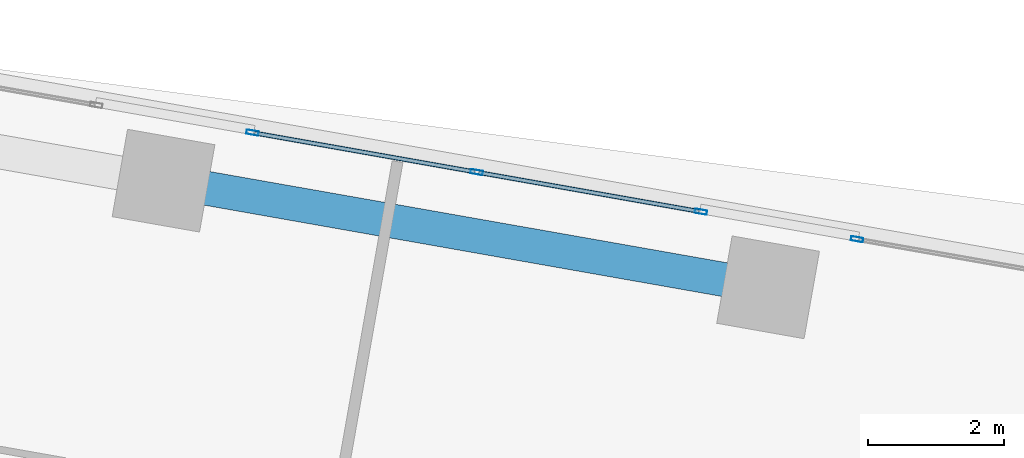
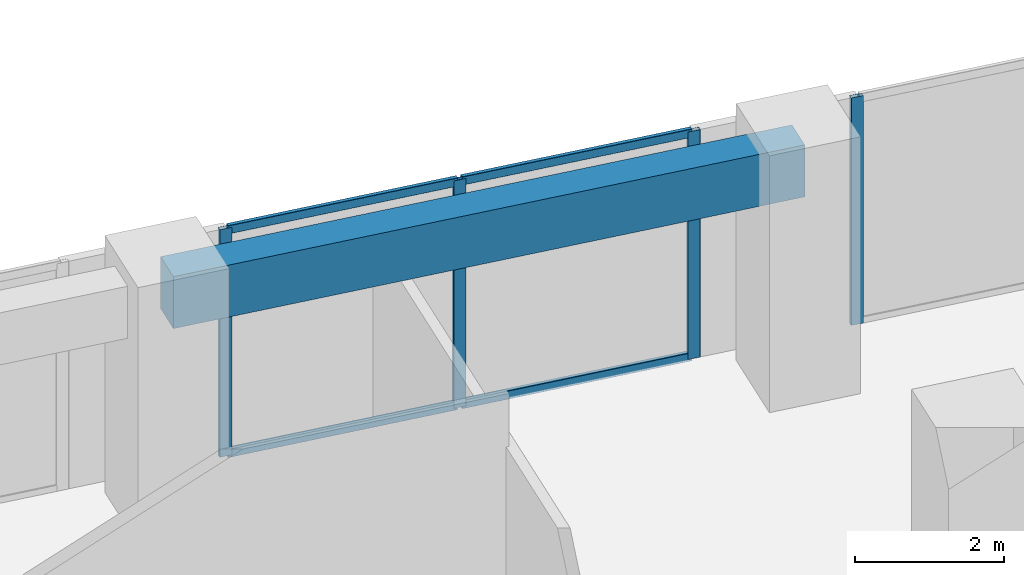
# One storey, part 17 of 24: 8 members, 1 beam, 2 elements without a shape of their own.
"""IFC4 building model written with IfcOpenShell, lengths in metres."""

import ifcopenshell
import ifcopenshell.guid

model = None  # the IFC model being written
_history = None  # IfcOwnerHistory: only IFC2X3 demands one
_inside = {}  # id of a spatial element -> (the spatial element, [elements in it])
_under = {}  # id of a project, library or spatial element -> (it, [spatial elements below it])
_declared = {}  # id of a project -> (the project, [libraries it declares])
_typed = {}  # id of a type object -> (the type object, [elements of that type])
_made_of = {}  # id of a material, layer set ... -> (it, [elements and type objects made of it])


def new_model(schema):
    """Start an empty IFC model of exactly this schema.

    Asked for "IFC4X3", IfcOpenShell would pick the latest addendum, in which some entities
    have other attributes; the version numbers below select the first issue.
    IFC2X3 requires an IfcOwnerHistory on every rooted entity: one is made here for all.
    """
    global model, _history
    if schema == "IFC4X3":
        model = ifcopenshell.file(schema_version=(4, 3, 0, 0))
    else:
        model = ifcopenshell.file(schema=schema)
    _inside.clear()
    _under.clear()
    _declared.clear()
    _typed.clear()
    _made_of.clear()
    _history = None
    if model.schema == "IFC2X3":
        org = make("IfcOrganization", Name="unknown")
        user = make(
            "IfcPersonAndOrganization",
            ThePerson=make("IfcPerson", FamilyName="unknown"),
            TheOrganization=org,
        )
        app = make(
            "IfcApplication",
            ApplicationDeveloper=org,
            Version="unknown",
            ApplicationFullName="unknown",
            ApplicationIdentifier="unknown",
        )
        _history = make(
            "IfcOwnerHistory",
            OwningUser=user,
            OwningApplication=app,
            ChangeAction="ADDED",
            CreationDate=0,
        )
    return model


def make(cls, **values):
    """One entity of the class cls with the attributes given. An attribute that is None is left unset."""
    return model.create_entity(
        cls, **{name: value for name, value in values.items() if value is not None}
    )


def rooted(cls, **values):
    """An entity with a GlobalId (a new one), such as an element, a storey or a relation."""
    return make(cls, GlobalId=ifcopenshell.guid.new(), OwnerHistory=_history, **values)


def si_unit(unit_type, name, prefix=None):
    """IfcSIUnit, for example si_unit("LENGTHUNIT", "METRE", prefix="MILLI")."""
    return make("IfcSIUnit", UnitType=unit_type, Prefix=prefix, Name=name)


def assignment(units):
    """IfcUnitAssignment: the units of a project."""
    return None if units is None else make("IfcUnitAssignment", Units=units)


def point(xyz):
    """IfcCartesianPoint."""
    return None if xyz is None else make("IfcCartesianPoint", Coordinates=xyz)


def direction(xyz):
    """IfcDirection."""
    return None if xyz is None else make("IfcDirection", DirectionRatios=xyz)


def frame(location, z_axis=None, x_axis=None):
    """IfcAxis2Placement3D, a coordinate frame: its origin and axes. An axis left out is left unset."""
    return make(
        "IfcAxis2Placement3D",
        Location=point(location),
        Axis=direction(z_axis),
        RefDirection=direction(x_axis),
    )


def frame_2d(location, x_axis=None):
    """IfcAxis2Placement2D, a coordinate frame in the plane: its origin and x axis."""
    return make(
        "IfcAxis2Placement2D", Location=point(location), RefDirection=direction(x_axis)
    )


def origin():
    """The frame at (0, 0, 0) with its axes left unset."""
    return frame((0.0, 0.0, 0.0))


def origin_2d():
    """The frame at (0, 0) in the plane with its x axis left unset."""
    return frame_2d((0.0, 0.0))


def place(relative_to, where):
    """IfcLocalPlacement: puts the frame where relative to a parent placement (None: the world)."""
    return make(
        "IfcLocalPlacement", PlacementRelTo=relative_to, RelativePlacement=where
    )


def context(
    kind, dimensions, precision=None, world=None, true_north=None, identifier=None
):
    """IfcGeometricRepresentationContext, for example the 3D "Model" context."""
    return make(
        "IfcGeometricRepresentationContext",
        ContextIdentifier=identifier,
        ContextType=kind,
        CoordinateSpaceDimension=dimensions,
        Precision=precision,
        WorldCoordinateSystem=world,
        TrueNorth=true_north,
    )


def subcontext(parent, identifier, kind, view, scale=None):
    """IfcGeometricRepresentationSubContext, for example "Body" below "Model"."""
    return make(
        "IfcGeometricRepresentationSubContext",
        ContextIdentifier=identifier,
        ContextType=kind,
        ParentContext=parent,
        TargetScale=scale,
        TargetView=view,
    )


def project(units=None, contexts=None):
    """IfcProject with its units and contexts."""
    return rooted(
        "IfcProject",
        Name="project",
        RepresentationContexts=contexts,
        UnitsInContext=assignment(units),
    )


def spatial(cls, under=None, at=None, **own):
    """A site, building, storey or space (cls), placed at a placement, below another one or the project."""
    s = rooted(cls, ObjectPlacement=at, **own)
    if under is not None:
        _under.setdefault(under.id(), (under, []))[1].append(s)
    return s


def profile(cls, at=None, kind="AREA", **sizes):
    """A parametric profile (cls). Its sizes go by their IFC names, for example OverallWidth=200.0."""
    return make(cls, ProfileType=kind, Position=at, **sizes)


def rectangle(**sizes):
    """IfcRectangleProfileDef."""
    return profile("IfcRectangleProfileDef", **sizes)


def hollow_rectangle(**sizes):
    """IfcRectangleHollowProfileDef."""
    return profile("IfcRectangleHollowProfileDef", **sizes)


def extrude(swept, where, along, depth):
    """IfcExtrudedAreaSolid: the profile swept, set in the frame where, extruded along a direction by depth."""
    return make(
        "IfcExtrudedAreaSolid",
        SweptArea=swept,
        Position=where,
        ExtrudedDirection=direction(along),
        Depth=depth,
    )


def shape(context_of_items, identifier, shape_type, items):
    """IfcShapeRepresentation: the items that make up one representation, for example the "Body"."""
    return make(
        "IfcShapeRepresentation",
        ContextOfItems=context_of_items,
        RepresentationIdentifier=identifier,
        RepresentationType=shape_type,
        Items=items,
    )


def source(mapping_origin, context_of_items, identifier, shape_type, items):
    """IfcRepresentationMap: a shape defined once, which mapped items show again and again."""
    return make(
        "IfcRepresentationMap",
        MappingOrigin=mapping_origin,
        MappedRepresentation=shape(context_of_items, identifier, shape_type, items),
    )


def transform(
    local_origin,
    x_axis=None,
    y_axis=None,
    z_axis=None,
    scale=None,
    scale2=None,
    scale3=None,
    uniform=True,
):
    """IfcCartesianTransformationOperator3D, or its non-uniform kind. x_axis, y_axis, z_axis: its Axis1, 2, 3."""
    if uniform:
        return make(
            "IfcCartesianTransformationOperator3D",
            Axis1=direction(x_axis),
            Axis2=direction(y_axis),
            LocalOrigin=point(local_origin),
            Scale=scale,
            Axis3=direction(z_axis),
        )
    return make(
        "IfcCartesianTransformationOperator3DnonUniform",
        Axis1=direction(x_axis),
        Axis2=direction(y_axis),
        LocalOrigin=point(local_origin),
        Scale=scale,
        Axis3=direction(z_axis),
        Scale2=scale2,
        Scale3=scale3,
    )


def mapped(mapping_source, mapping_target):
    """IfcMappedItem: shows the shape of a source again, moved by a transform."""
    return make(
        "IfcMappedItem", MappingSource=mapping_source, MappingTarget=mapping_target
    )


def material(Name=None, Category=None):
    """IfcMaterial."""
    return make("IfcMaterial", Name=Name, Category=Category)


def material_profile(
    of_material, cross_section, Name=None, Category=None, Priority=None
):
    """IfcMaterialProfile: a cross section and its material."""
    return make(
        "IfcMaterialProfile",
        Name=Name,
        Material=of_material,
        Profile=cross_section,
        Priority=Priority,
        Category=Category,
    )


def profile_set(profiles, Name=None, composite=None):
    """IfcMaterialProfileSet."""
    return make(
        "IfcMaterialProfileSet",
        Name=Name,
        MaterialProfiles=profiles,
        CompositeProfile=composite,
    )


def made_of(thing, what):
    """Note that an element or type object is made of a material, layer set ...; save() writes the relation."""
    if what is not None:
        _made_of.setdefault(what.id(), (what, []))[1].append(thing)
    return thing


def type_object(cls, material=None, **own):
    """A type object (cls), such as IfcWallType, which elements share."""
    return made_of(rooted(cls, **own), material)


def element(
    cls,
    number,
    at=None,
    inside=None,
    cuts=None,
    type_object=None,
    material=None,
    context=None,
    identifier="Body",
    shape_type=None,
    held_by="IfcProductDefinitionShape",
    body=None,
    shapes=None,
    **own,
):
    """One element of the class cls, such as IfcWall. Its Tag is "e" and its number.

    at: its placement. inside: the storey or other place that contains it. cuts: it is an
    opening in that element (IfcRelVoidsElement). A single representation is given by context,
    identifier, shape_type and body (its items); several are given by shapes. held_by: the class
    of the entity that holds the representations. save() writes the other relations.
    """
    e = rooted(cls, Tag="e%d" % number, ObjectPlacement=at, **own)
    if body is not None:
        shapes = [shape(context, identifier, shape_type, body)]
    if shapes is not None:
        e.Representation = make(held_by, Representations=shapes)
    if inside is not None:
        _inside.setdefault(inside.id(), (inside, []))[1].append(e)
    if cuts is not None:
        rooted(
            "IfcRelVoidsElement", RelatingBuildingElement=cuts, RelatedOpeningElement=e
        )
    if type_object is not None:
        _typed.setdefault(type_object.id(), (type_object, []))[1].append(e)
    return made_of(e, material)


def aggregate(whole, parts):
    """IfcRelAggregates: a whole, such as a stair, and the parts it consists of."""
    return rooted("IfcRelAggregates", RelatingObject=whole, RelatedObjects=parts)


def save(model, path):
    """Write the relations noted so far, then the file.

    IfcRelAggregates (storeys below a building ...), IfcRelContainedInSpatialStructure (elements
    in a storey), IfcRelDefinesByType, IfcRelAssociatesMaterial and IfcRelDeclares: one each for
    every whole, place, type object, material and project.
    """
    for whole, parts in _under.values():
        aggregate(whole, parts)
    for where, things in _inside.values():
        rooted(
            "IfcRelContainedInSpatialStructure",
            RelatedElements=things,
            RelatingStructure=where,
        )
    for kind, things in _typed.values():
        rooted("IfcRelDefinesByType", RelatedObjects=things, RelatingType=kind)
    for what, things in _made_of.values():
        rooted("IfcRelAssociatesMaterial", RelatedObjects=things, RelatingMaterial=what)
    for by, libraries in _declared.values():
        rooted("IfcRelDeclares", RelatingContext=by, RelatedDefinitions=libraries)
    model.write(path)


model = new_model("IFC4")

# Units and contexts
model_context = context("Model", 3, precision=1e-05, world=origin(), true_north=direction((0.0, 1.0)))
body_context = subcontext(model_context, "Body", "Model", "MODEL_VIEW")
ifc_project = project(units=[si_unit("LENGTHUNIT", "METRE"), si_unit("AREAUNIT", "SQUARE_METRE"), si_unit("VOLUMEUNIT", "CUBIC_METRE"), si_unit("PLANEANGLEUNIT", "RADIAN"), si_unit("MASSUNIT", "GRAM", prefix="KILO")], contexts=[model_context])

# Site, building, storey
site_placement = place(None, origin())
site = spatial("IfcSite", under=ifc_project, at=site_placement, CompositionType="ELEMENT")
building_placement = place(site_placement, origin())
building = spatial("IfcBuilding", under=site, at=building_placement, Name="Torre Montelarca", CompositionType="ELEMENT")
storey_placement = place(building_placement, frame((0.0, 0.0, 74.800048828125)))
storey = spatial("IfcBuildingStorey", under=building, at=storey_placement, Name="L16", CompositionType="ELEMENT", Elevation=74.800048828125)

# Beam
ifc_material_1 = material(Name="Concrete C55/67", Category="concrete")
ifc_material_profile_1 = material_profile(ifc_material_1, rectangle(XDim=0.5, YDim=0.85009765625, at=origin_2d()), Name="RCB500X850", Category="concrete")
ifc_profile_set_1 = profile_set([ifc_material_profile_1], Name="Concrete C55/67")
beam_type = type_object("IfcBeamType", Name="BM-SP-RC850-EXT", PredefinedType="SPANDREL", material=ifc_profile_set_1)
shared_shape_1 = source(origin(), body_context, "Body", "SweptSolid", [
    extrude(rectangle(XDim=0.5, YDim=0.85009765625, at=origin_2d()), origin(), (0.0, 0.0, 1.0), 9.0),
])
beam_placement = place(storey_placement, frame((29.547119140625, 45.96484375, 3.534912109375), z_axis=(0.98480485219, -0.173664628243, 0.0), x_axis=(0.173664628243, 0.98480485219, 0.0)))
element("IfcBeam", 1, at=beam_placement, inside=storey, type_object=beam_type, Name="L16 Grid Girder X 27.0-36.0 at Y=47.1", PredefinedType="SPANDREL", context=body_context, shape_type="MappedRepresentation", body=[
    mapped(shared_shape_1, transform((0.0, 0.0, 0.0), scale=1.0)),
])

# Curtain wall, members
ifc_material_2 = material(Name="Insulated low-E laminated glass", Category="glass")
curtain_wall_type = type_object("IfcCurtainWallType", Name="CW-SYS-Z1", PredefinedType="USERDEFINED", material=ifc_material_2)
curtain_wall_1_placement = place(storey_placement, origin())
curtain_wall_1 = element("IfcCurtainWall", 2, at=curtain_wall_1_placement, inside=storey, type_object=curtain_wall_type, Name="L16 Curtain Wall Run CW-T3-L16-E08-B2", ObjectType="UNITISED GLAZING", PredefinedType="USERDEFINED")
ifc_material_3 = material(Name="Anodised aluminium AA 6063-T6", Category="aluminium")
ifc_material_profile_2 = material_profile(ifc_material_3, hollow_rectangle(XDim=0.06494140625, YDim=0.139892578125, WallThickness=0.00390625, InnerFilletRadius=0.00390625, OuterFilletRadius=0.008056640625, at=origin_2d()), Name="ALU65X140X4", Category="aluminium")
ifc_profile_set_2 = profile_set([ifc_material_profile_2], Name="Anodised aluminium AA 6063-T6")
member_type_1 = type_object("IfcMemberType", Name="CWT-ALU140", PredefinedType="USERDEFINED", material=ifc_profile_set_2)
shared_shape_2 = source(origin(), body_context, "Body", "SweptSolid", [
    extrude(hollow_rectangle(XDim=0.06494140625, YDim=0.139892578125, WallThickness=0.00390625, InnerFilletRadius=0.00390625, OuterFilletRadius=0.008056640625, at=origin_2d()), origin(), (0.0, 0.0, 1.0), 3.272705078125),
])
member_1_placement = place(storey_placement, frame((34.106689453125, 46.094970703125, 0.032470703125), z_axis=(-0.984803829486, 0.173670427622, 0.0), x_axis=(-0.173670427622, -0.984803829486, 0.0)))
member_1 = element("IfcMember", 3, at=member_1_placement, type_object=member_type_1, Name="CW transom 2.1", ObjectType="TRANSOM", PredefinedType="USERDEFINED", context=body_context, shape_type="MappedRepresentation", body=[
    mapped(shared_shape_2, transform((0.0, 0.0, 0.0), scale=1.0)),
])
member_2_placement = place(storey_placement, frame((34.106689453125, 46.094970703125, 3.6875), z_axis=(-0.984803829486, 0.173670427622, 0.0), x_axis=(-0.173670427622, -0.984803829486, 0.0)))
member_2 = element("IfcMember", 4, at=member_2_placement, type_object=member_type_1, Name="CW transom 2.2", ObjectType="TRANSOM", PredefinedType="USERDEFINED", context=body_context, shape_type="MappedRepresentation", body=[
    mapped(shared_shape_2, transform((0.0, 0.0, 0.0), scale=1.0)),
])
shared_shape_3 = source(origin(), body_context, "Body", "SweptSolid", [
    extrude(hollow_rectangle(XDim=0.06494140625, YDim=0.139892578125, WallThickness=0.00390625, InnerFilletRadius=0.00390625, OuterFilletRadius=0.008056640625, at=origin_2d()), origin(), (0.0, 0.0, 1.0), 3.2724609375),
])
member_3_placement = place(storey_placement, frame((37.393310546875, 45.515380859375, 0.032470703125), z_axis=(-0.984801579175, 0.1736831876, 0.0), x_axis=(-0.1736831876, -0.984801579175, 0.0)))
member_3 = element("IfcMember", 5, at=member_3_placement, type_object=member_type_1, Name="CW transom 1.1", ObjectType="TRANSOM", PredefinedType="USERDEFINED", context=body_context, shape_type="MappedRepresentation", body=[
    mapped(shared_shape_3, transform((0.0, 0.0, 0.0), scale=1.0)),
])
member_4_placement = place(storey_placement, frame((37.393310546875, 45.515380859375, 3.6875), z_axis=(-0.984801579175, 0.1736831876, 0.0), x_axis=(-0.1736831876, -0.984801579175, 0.0)))
member_4 = element("IfcMember", 6, at=member_4_placement, type_object=member_type_1, Name="CW transom 1.2", ObjectType="TRANSOM", PredefinedType="USERDEFINED", context=body_context, shape_type="MappedRepresentation", body=[
    mapped(shared_shape_3, transform((0.0, 0.0, 0.0), scale=1.0)),
])

# Curtain wall, member
curtain_wall_2_placement = place(storey_placement, origin())
curtain_wall_2 = element("IfcCurtainWall", 7, at=curtain_wall_2_placement, inside=storey, type_object=curtain_wall_type, Name="L16 Curtain Wall Run CW-T3-L16-E08-B1", ObjectType="UNITISED GLAZING", PredefinedType="USERDEFINED")
ifc_material_profile_3 = material_profile(ifc_material_3, hollow_rectangle(XDim=0.06494140625, YDim=0.179931640625, WallThickness=0.00390625, InnerFilletRadius=0.00390625, OuterFilletRadius=0.008056640625, at=origin_2d()), Name="ALU65X180X4", Category="aluminium")
ifc_profile_set_3 = profile_set([ifc_material_profile_3], Name="Anodised aluminium AA 6063-T6")
member_type_2 = type_object("IfcMemberType", Name="CWM-ALU180", PredefinedType="MULLION", material=ifc_profile_set_3)
shared_shape_4 = source(origin(), body_context, "Body", "SweptSolid", [
    extrude(hollow_rectangle(XDim=0.06494140625, YDim=0.179931640625, WallThickness=0.00390625, InnerFilletRadius=0.00390625, OuterFilletRadius=0.008056640625, at=origin_2d()), origin(), (0.0, 0.0, 1.0), 3.719970703125),
])
member_5_placement = place(storey_placement, frame((39.715087890625, 45.10595703125, 0.0), z_axis=(0.0, 0.0, 1.0), x_axis=(-0.173643193311, -0.984808631876, 0.0)))
member_5 = element("IfcMember", 8, at=member_5_placement, type_object=member_type_2, Name="CW mullion 3", PredefinedType="MULLION", context=body_context, shape_type="MappedRepresentation", body=[
    mapped(shared_shape_4, transform((0.0, 0.0, 0.0), scale=1.0)),
])
aggregate(curtain_wall_2, [member_5])

# Member
member_6_placement = place(storey_placement, frame((37.42529296875, 45.509765625, 0.0), z_axis=(0.0, 0.0, 1.0), x_axis=(-0.173649909131, -0.984807447707, 0.0)))
member_6 = element("IfcMember", 9, at=member_6_placement, type_object=member_type_2, Name="CW mullion 1", PredefinedType="MULLION", context=body_context, shape_type="MappedRepresentation", body=[
    mapped(shared_shape_4, transform((0.0, 0.0, 0.0), scale=1.0)),
])

member_7_placement = place(storey_placement, frame((34.138671875, 46.08935546875, 0.0), z_axis=(0.0, 0.0, 1.0), x_axis=(-0.173649909131, -0.984807447707, 0.0)))
member_7 = element("IfcMember", 10, at=member_7_placement, type_object=member_type_2, Name="CW mullion 2", PredefinedType="MULLION", context=body_context, shape_type="MappedRepresentation", body=[
    mapped(shared_shape_4, transform((0.0, 0.0, 0.0), scale=1.0)),
])

member_8_placement = place(storey_placement, frame((30.851806640625, 46.6689453125, 0.0), z_axis=(0.0, 0.0, 1.0), x_axis=(-0.173649909131, -0.984807447707, 0.0)))
member_8 = element("IfcMember", 11, at=member_8_placement, type_object=member_type_2, Name="CW mullion 3", PredefinedType="MULLION", context=body_context, shape_type="MappedRepresentation", body=[
    mapped(shared_shape_4, transform((0.0, 0.0, 0.0), scale=1.0)),
])

aggregate(curtain_wall_1, [member_6, member_7, member_8, member_3, member_4, member_1, member_2])

save(model, "model.ifc")
